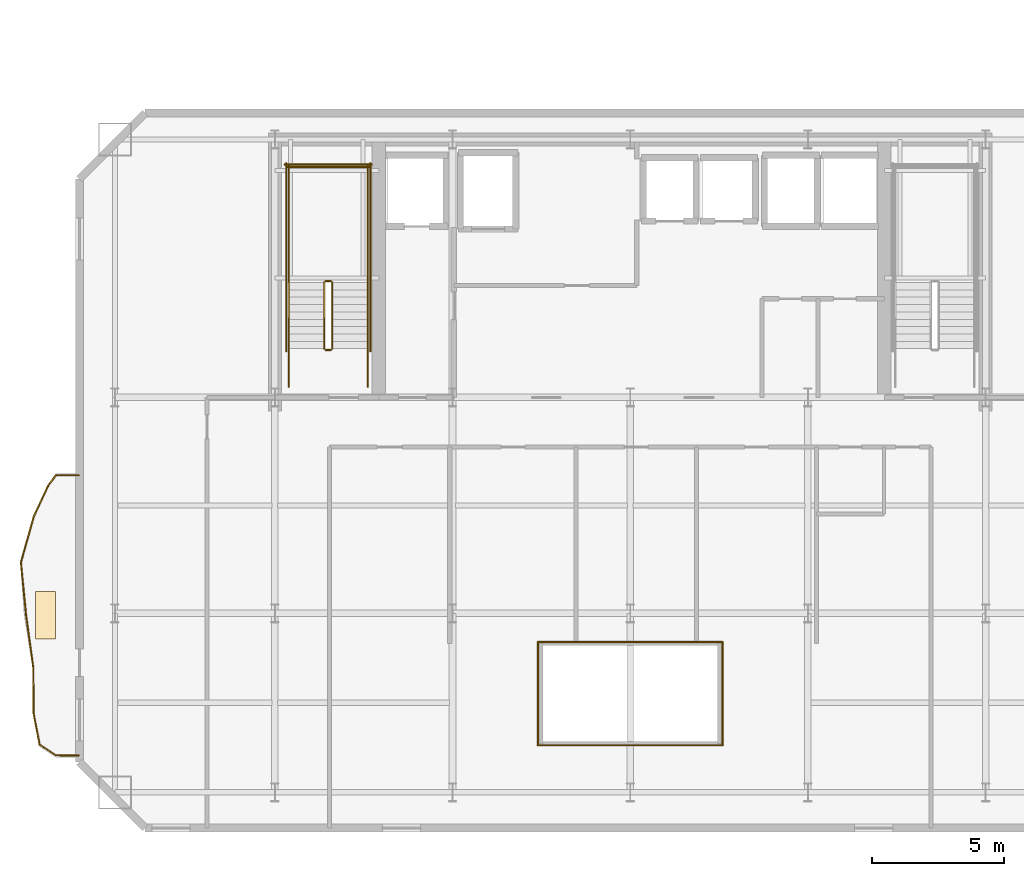
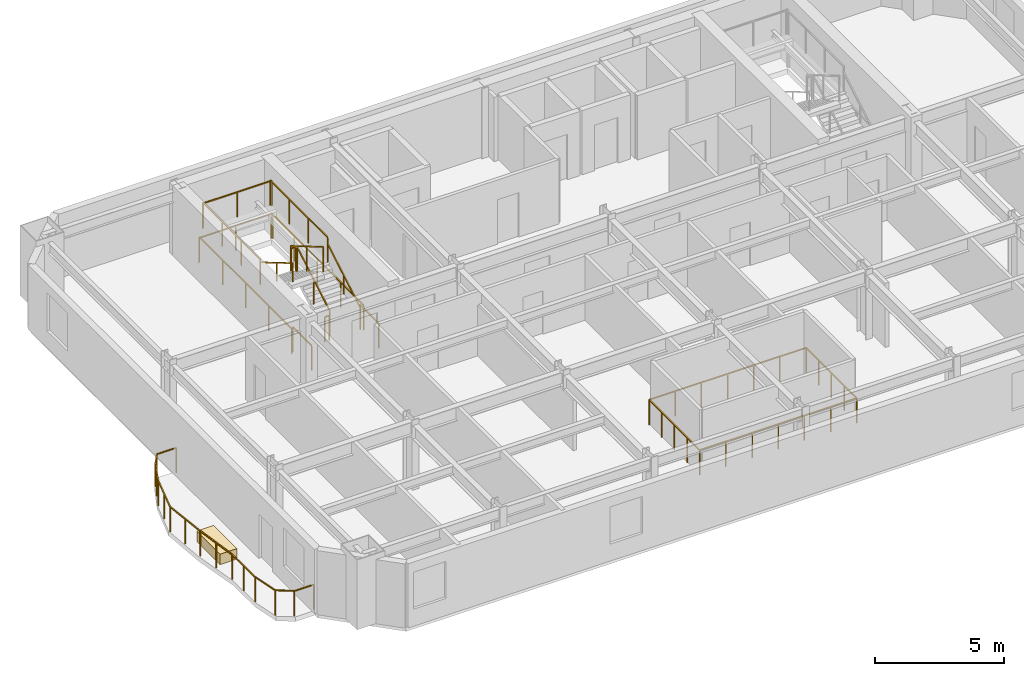
# One storey, part 10 of 13: 28 railings, 1 covering.
"""IFC4 building model written with IfcOpenShell, lengths in metres."""

import ifcopenshell
import ifcopenshell.guid

model = None  # the IFC model being written
_history = None  # IfcOwnerHistory: only IFC2X3 demands one
_inside = {}  # id of a spatial element -> (the spatial element, [elements in it])
_under = {}  # id of a project, library or spatial element -> (it, [spatial elements below it])
_declared = {}  # id of a project -> (the project, [libraries it declares])
_typed = {}  # id of a type object -> (the type object, [elements of that type])
_made_of = {}  # id of a material, layer set ... -> (it, [elements and type objects made of it])


def new_model(schema):
    """Start an empty IFC model of exactly this schema.

    Asked for "IFC4X3", IfcOpenShell would pick the latest addendum, in which some entities
    have other attributes; the version numbers below select the first issue.
    IFC2X3 requires an IfcOwnerHistory on every rooted entity: one is made here for all.
    """
    global model, _history
    if schema == "IFC4X3":
        model = ifcopenshell.file(schema_version=(4, 3, 0, 0))
    else:
        model = ifcopenshell.file(schema=schema)
    _inside.clear()
    _under.clear()
    _declared.clear()
    _typed.clear()
    _made_of.clear()
    _history = None
    if model.schema == "IFC2X3":
        org = make("IfcOrganization", Name="unknown")
        user = make(
            "IfcPersonAndOrganization",
            ThePerson=make("IfcPerson", FamilyName="unknown"),
            TheOrganization=org,
        )
        app = make(
            "IfcApplication",
            ApplicationDeveloper=org,
            Version="unknown",
            ApplicationFullName="unknown",
            ApplicationIdentifier="unknown",
        )
        _history = make(
            "IfcOwnerHistory",
            OwningUser=user,
            OwningApplication=app,
            ChangeAction="ADDED",
            CreationDate=0,
        )
    return model


def make(cls, **values):
    """One entity of the class cls with the attributes given. An attribute that is None is left unset."""
    return model.create_entity(
        cls, **{name: value for name, value in values.items() if value is not None}
    )


def rooted(cls, **values):
    """An entity with a GlobalId (a new one), such as an element, a storey or a relation."""
    return make(cls, GlobalId=ifcopenshell.guid.new(), OwnerHistory=_history, **values)


def si_unit(unit_type, name, prefix=None):
    """IfcSIUnit, for example si_unit("LENGTHUNIT", "METRE", prefix="MILLI")."""
    return make("IfcSIUnit", UnitType=unit_type, Prefix=prefix, Name=name)


def assignment(units):
    """IfcUnitAssignment: the units of a project."""
    return None if units is None else make("IfcUnitAssignment", Units=units)


def point(xyz):
    """IfcCartesianPoint."""
    return None if xyz is None else make("IfcCartesianPoint", Coordinates=xyz)


def direction(xyz):
    """IfcDirection."""
    return None if xyz is None else make("IfcDirection", DirectionRatios=xyz)


def frame(location, z_axis=None, x_axis=None):
    """IfcAxis2Placement3D, a coordinate frame: its origin and axes. An axis left out is left unset."""
    return make(
        "IfcAxis2Placement3D",
        Location=point(location),
        Axis=direction(z_axis),
        RefDirection=direction(x_axis),
    )


def frame_2d(location, x_axis=None):
    """IfcAxis2Placement2D, a coordinate frame in the plane: its origin and x axis."""
    return make(
        "IfcAxis2Placement2D", Location=point(location), RefDirection=direction(x_axis)
    )


def origin():
    """The frame at (0, 0, 0) with its axes left unset."""
    return frame((0.0, 0.0, 0.0))


def origin_2d():
    """The frame at (0, 0) in the plane with its x axis left unset."""
    return frame_2d((0.0, 0.0))


def place(relative_to, where):
    """IfcLocalPlacement: puts the frame where relative to a parent placement (None: the world)."""
    return make(
        "IfcLocalPlacement", PlacementRelTo=relative_to, RelativePlacement=where
    )


def context(
    kind, dimensions, precision=None, world=None, true_north=None, identifier=None
):
    """IfcGeometricRepresentationContext, for example the 3D "Model" context."""
    return make(
        "IfcGeometricRepresentationContext",
        ContextIdentifier=identifier,
        ContextType=kind,
        CoordinateSpaceDimension=dimensions,
        Precision=precision,
        WorldCoordinateSystem=world,
        TrueNorth=true_north,
    )


def subcontext(parent, identifier, kind, view, scale=None):
    """IfcGeometricRepresentationSubContext, for example "Body" below "Model"."""
    return make(
        "IfcGeometricRepresentationSubContext",
        ContextIdentifier=identifier,
        ContextType=kind,
        ParentContext=parent,
        TargetScale=scale,
        TargetView=view,
    )


def project(units=None, contexts=None):
    """IfcProject with its units and contexts."""
    return rooted(
        "IfcProject",
        Name="project",
        RepresentationContexts=contexts,
        UnitsInContext=assignment(units),
    )


def spatial(cls, under=None, at=None, **own):
    """A site, building, storey or space (cls), placed at a placement, below another one or the project."""
    s = rooted(cls, ObjectPlacement=at, **own)
    if under is not None:
        _under.setdefault(under.id(), (under, []))[1].append(s)
    return s


def profile(cls, at=None, kind="AREA", **sizes):
    """A parametric profile (cls). Its sizes go by their IFC names, for example OverallWidth=200.0."""
    return make(cls, ProfileType=kind, Position=at, **sizes)


def rectangle(**sizes):
    """IfcRectangleProfileDef."""
    return profile("IfcRectangleProfileDef", **sizes)


def extrude(swept, where, along, depth):
    """IfcExtrudedAreaSolid: the profile swept, set in the frame where, extruded along a direction by depth."""
    return make(
        "IfcExtrudedAreaSolid",
        SweptArea=swept,
        Position=where,
        ExtrudedDirection=direction(along),
        Depth=depth,
    )


def shape(context_of_items, identifier, shape_type, items):
    """IfcShapeRepresentation: the items that make up one representation, for example the "Body"."""
    return make(
        "IfcShapeRepresentation",
        ContextOfItems=context_of_items,
        RepresentationIdentifier=identifier,
        RepresentationType=shape_type,
        Items=items,
    )


def material(Name=None, Category=None):
    """IfcMaterial."""
    return make("IfcMaterial", Name=Name, Category=Category)


def layer(
    of_material, thickness, ventilated=None, Name=None, Category=None, Priority=None
):
    """IfcMaterialLayer: one layer of a wall or slab, of a material (None: an air gap)."""
    return make(
        "IfcMaterialLayer",
        Material=of_material,
        LayerThickness=thickness,
        IsVentilated=ventilated,
        Name=Name,
        Category=Category,
        Priority=Priority,
    )


def layer_set(layers, Name=None):
    """IfcMaterialLayerSet."""
    return make("IfcMaterialLayerSet", MaterialLayers=layers, LayerSetName=Name)


def made_of(thing, what):
    """Note that an element or type object is made of a material, layer set ...; save() writes the relation."""
    if what is not None:
        _made_of.setdefault(what.id(), (what, []))[1].append(thing)
    return thing


def type_object(cls, material=None, **own):
    """A type object (cls), such as IfcWallType, which elements share."""
    return made_of(rooted(cls, **own), material)


def element(
    cls,
    number,
    at=None,
    inside=None,
    cuts=None,
    type_object=None,
    material=None,
    context=None,
    identifier="Body",
    shape_type=None,
    held_by="IfcProductDefinitionShape",
    body=None,
    shapes=None,
    **own,
):
    """One element of the class cls, such as IfcWall. Its Tag is "e" and its number.

    at: its placement. inside: the storey or other place that contains it. cuts: it is an
    opening in that element (IfcRelVoidsElement). A single representation is given by context,
    identifier, shape_type and body (its items); several are given by shapes. held_by: the class
    of the entity that holds the representations. save() writes the other relations.
    """
    e = rooted(cls, Tag="e%d" % number, ObjectPlacement=at, **own)
    if body is not None:
        shapes = [shape(context, identifier, shape_type, body)]
    if shapes is not None:
        e.Representation = make(held_by, Representations=shapes)
    if inside is not None:
        _inside.setdefault(inside.id(), (inside, []))[1].append(e)
    if cuts is not None:
        rooted(
            "IfcRelVoidsElement", RelatingBuildingElement=cuts, RelatedOpeningElement=e
        )
    if type_object is not None:
        _typed.setdefault(type_object.id(), (type_object, []))[1].append(e)
    return made_of(e, material)


def aggregate(whole, parts):
    """IfcRelAggregates: a whole, such as a stair, and the parts it consists of."""
    return rooted("IfcRelAggregates", RelatingObject=whole, RelatedObjects=parts)


def save(model, path):
    """Write the relations noted so far, then the file.

    IfcRelAggregates (storeys below a building ...), IfcRelContainedInSpatialStructure (elements
    in a storey), IfcRelDefinesByType, IfcRelAssociatesMaterial and IfcRelDeclares: one each for
    every whole, place, type object, material and project.
    """
    for whole, parts in _under.values():
        aggregate(whole, parts)
    for where, things in _inside.values():
        rooted(
            "IfcRelContainedInSpatialStructure",
            RelatedElements=things,
            RelatingStructure=where,
        )
    for kind, things in _typed.values():
        rooted("IfcRelDefinesByType", RelatedObjects=things, RelatingType=kind)
    for what, things in _made_of.values():
        rooted("IfcRelAssociatesMaterial", RelatedObjects=things, RelatingMaterial=what)
    for by, libraries in _declared.values():
        rooted("IfcRelDeclares", RelatingContext=by, RelatedDefinitions=libraries)
    model.write(path)


model = new_model("IFC4")

# Units and contexts
model_context = context("Model", 3, precision=1e-05, world=origin(), true_north=direction((0.0, 1.0)))
body_context = subcontext(model_context, "Body", "Model", "MODEL_VIEW")
ifc_project = project(units=[si_unit("LENGTHUNIT", "METRE"), si_unit("AREAUNIT", "SQUARE_METRE"), si_unit("VOLUMEUNIT", "CUBIC_METRE"), si_unit("PLANEANGLEUNIT", "RADIAN"), si_unit("MASSUNIT", "GRAM", prefix="KILO")], contexts=[model_context])

# Site, building, storey
site_placement = place(None, origin())
site = spatial("IfcSite", under=ifc_project, at=site_placement, CompositionType="ELEMENT")
building_placement = place(site_placement, origin())
building = spatial("IfcBuilding", under=site, at=building_placement, Name="Haevon Station Towers", CompositionType="ELEMENT")
storey_placement = place(building_placement, frame((0.0, 0.0, 162.60009765625)))
storey = spatial("IfcBuildingStorey", under=building, at=storey_placement, Name="L44", CompositionType="ELEMENT", Elevation=162.60009765625)

# Railings
ifc_material_1 = material(Name="Steel S355", Category="steel")
railing_type_1 = type_object("IfcRailingType", Name="BAL-ATR1200", PredefinedType="BALUSTRADE", material=ifc_material_1)
railing_1_placement = place(storey_placement, frame((33.995361328125, 24.991455078125, 0.0)))
element("IfcRailing", 1, at=railing_1_placement, inside=storey, type_object=railing_type_1, Name="L44 Atrium Void Balustrade 1", PredefinedType="BALUSTRADE", context=body_context, shape_type="SweptSolid", body=[
    extrude(rectangle(XDim=0.048095703125, YDim=0.048095703125, at=origin_2d()), frame((0.0, 0.0, 1.17578125), z_axis=(1.0, 0.0, 0.0), x_axis=(0.0, 1.0, 0.0)), (0.0, 0.0, 1.0), 7.00927734375),
    extrude(rectangle(XDim=0.0419921875, YDim=0.0419921875, at=origin_2d()), origin(), (0.0, 0.0, 1.0), 1.15185546875),
    extrude(rectangle(XDim=0.0419921875, YDim=0.0419921875, at=origin_2d()), frame((1.168212890625, 0.0, 0.0)), (0.0, 0.0, 1.0), 1.15185546875),
    extrude(rectangle(XDim=0.0419921875, YDim=0.0419921875, at=origin_2d()), frame((2.33642578125, 0.0, 0.0)), (0.0, 0.0, 1.0), 1.15185546875),
    extrude(rectangle(XDim=0.0419921875, YDim=0.0419921875, at=origin_2d()), frame((3.504638671875, 0.0, 0.0)), (0.0, 0.0, 1.0), 1.15185546875),
    extrude(rectangle(XDim=0.0419921875, YDim=0.0419921875, at=origin_2d()), frame((4.6728515625, 0.0, 0.0)), (0.0, 0.0, 1.0), 1.15185546875),
    extrude(rectangle(XDim=0.0419921875, YDim=0.0419921875, at=origin_2d()), frame((5.841064453125, 0.0, 0.0)), (0.0, 0.0, 1.0), 1.15185546875),
    extrude(rectangle(XDim=0.0419921875, YDim=0.0419921875, at=origin_2d()), frame((7.00927734375, 0.0, 0.0)), (0.0, 0.0, 1.0), 1.15185546875),
])
railing_2_placement = place(storey_placement, frame((41.004638671875, 24.991455078125, 0.0)))
element("IfcRailing", 2, at=railing_2_placement, inside=storey, type_object=railing_type_1, Name="L44 Atrium Void Balustrade 2", PredefinedType="BALUSTRADE", context=body_context, shape_type="SweptSolid", body=[
    extrude(rectangle(XDim=0.048095703125, YDim=0.048095703125, at=origin_2d()), frame((0.0, 0.0, 1.17578125), z_axis=(0.0, 1.0, 0.0), x_axis=(-1.0, 0.0, 0.0)), (0.0, 0.0, 1.0), 3.9169921875),
    extrude(rectangle(XDim=0.0419921875, YDim=0.0419921875, at=origin_2d()), origin(), (0.0, 0.0, 1.0), 1.15185546875),
    extrude(rectangle(XDim=0.0419921875, YDim=0.0419921875, at=origin_2d()), frame((0.0, 0.979248046875, 0.0)), (0.0, 0.0, 1.0), 1.15185546875),
    extrude(rectangle(XDim=0.0419921875, YDim=0.0419921875, at=origin_2d()), frame((0.0, 1.95849609375, 0.0)), (0.0, 0.0, 1.0), 1.15185546875),
    extrude(rectangle(XDim=0.0419921875, YDim=0.0419921875, at=origin_2d()), frame((0.0, 2.937744140625, 0.0)), (0.0, 0.0, 1.0), 1.15185546875),
    extrude(rectangle(XDim=0.0419921875, YDim=0.0419921875, at=origin_2d()), frame((0.0, 3.9169921875, 0.0)), (0.0, 0.0, 1.0), 1.15185546875),
])
railing_3_placement = place(storey_placement, frame((41.004638671875, 28.908447265625, 0.0)))
element("IfcRailing", 3, at=railing_3_placement, inside=storey, type_object=railing_type_1, Name="L44 Atrium Void Balustrade 3", PredefinedType="BALUSTRADE", context=body_context, shape_type="SweptSolid", body=[
    extrude(rectangle(XDim=0.048095703125, YDim=0.048095703125, at=origin_2d()), frame((0.0, 0.0, 1.17578125), z_axis=(-1.0, 0.0, 0.0), x_axis=(0.0, -1.0, 0.0)), (0.0, 0.0, 1.0), 7.00927734375),
    extrude(rectangle(XDim=0.0419921875, YDim=0.0419921875, at=origin_2d()), origin(), (0.0, 0.0, 1.0), 1.15185546875),
    extrude(rectangle(XDim=0.0419921875, YDim=0.0419921875, at=origin_2d()), frame((-1.168212890625, 0.0, 0.0)), (0.0, 0.0, 1.0), 1.15185546875),
    extrude(rectangle(XDim=0.0419921875, YDim=0.0419921875, at=origin_2d()), frame((-2.33642578125, 0.0, 0.0)), (0.0, 0.0, 1.0), 1.15185546875),
    extrude(rectangle(XDim=0.0419921875, YDim=0.0419921875, at=origin_2d()), frame((-3.504638671875, 0.0, 0.0)), (0.0, 0.0, 1.0), 1.15185546875),
    extrude(rectangle(XDim=0.0419921875, YDim=0.0419921875, at=origin_2d()), frame((-4.6728515625, 0.0, 0.0)), (0.0, 0.0, 1.0), 1.15185546875),
    extrude(rectangle(XDim=0.0419921875, YDim=0.0419921875, at=origin_2d()), frame((-5.841064453125, 0.0, 0.0)), (0.0, 0.0, 1.0), 1.15185546875),
    extrude(rectangle(XDim=0.0419921875, YDim=0.0419921875, at=origin_2d()), frame((-7.00927734375, 0.0, 0.0)), (0.0, 0.0, 1.0), 1.15185546875),
])
railing_4_placement = place(storey_placement, frame((33.995361328125, 28.908447265625, 0.0)))
element("IfcRailing", 4, at=railing_4_placement, inside=storey, type_object=railing_type_1, Name="L44 Atrium Void Balustrade 4", PredefinedType="BALUSTRADE", context=body_context, shape_type="SweptSolid", body=[
    extrude(rectangle(XDim=0.048095703125, YDim=0.048095703125, at=origin_2d()), frame((0.0, 0.0, 1.17578125), z_axis=(0.0, -1.0, 0.0), x_axis=(1.0, 0.0, 0.0)), (0.0, 0.0, 1.0), 3.9169921875),
    extrude(rectangle(XDim=0.0419921875, YDim=0.0419921875, at=origin_2d()), origin(), (0.0, 0.0, 1.0), 1.15185546875),
    extrude(rectangle(XDim=0.0419921875, YDim=0.0419921875, at=origin_2d()), frame((0.0, -0.979248046875, 0.0)), (0.0, 0.0, 1.0), 1.15185546875),
    extrude(rectangle(XDim=0.0419921875, YDim=0.0419921875, at=origin_2d()), frame((0.0, -1.95849609375, 0.0)), (0.0, 0.0, 1.0), 1.15185546875),
    extrude(rectangle(XDim=0.0419921875, YDim=0.0419921875, at=origin_2d()), frame((0.0, -2.937744140625, 0.0)), (0.0, 0.0, 1.0), 1.15185546875),
    extrude(rectangle(XDim=0.0419921875, YDim=0.0419921875, at=origin_2d()), frame((0.0, -3.9169921875, 0.0)), (0.0, 0.0, 1.0), 1.15185546875),
])
railing_type_2 = type_object("IfcRailingType", Name="GRD-EXT1200", PredefinedType="GUARDRAIL", material=ifc_material_1)
railing_5_placement = place(storey_placement, frame((16.551513671875, 35.2470703125, 0.0)))
element("IfcRailing", 5, at=railing_5_placement, inside=storey, type_object=railing_type_2, Name="L44 Perimeter Guardrail 1", PredefinedType="GUARDRAIL", context=body_context, shape_type="SweptSolid", body=[
    extrude(rectangle(XDim=0.048095703125, YDim=0.048095703125, at=origin_2d()), frame((0.0, 0.0, 1.17578125), z_axis=(-0.999997476494, -0.002246554286, 0.0), x_axis=(0.002246554286, -0.999997476494, 0.0)), (0.0, 0.0, 1.0), 0.869384765625),
    extrude(rectangle(XDim=0.0419921875, YDim=0.0419921875, at=origin_2d()), origin(), (0.0, 0.0, 1.0), 1.15185546875),
    extrude(rectangle(XDim=0.0419921875, YDim=0.0419921875, at=origin_2d()), frame((-0.869384765625, -0.001953125, 0.0)), (0.0, 0.0, 1.0), 1.15185546875),
])
railing_6_placement = place(storey_placement, frame((15.68212890625, 35.2451171875, 0.0)))
element("IfcRailing", 6, at=railing_6_placement, inside=storey, type_object=railing_type_2, Name="L44 Perimeter Guardrail 2", PredefinedType="GUARDRAIL", context=body_context, shape_type="SweptSolid", body=[
    extrude(rectangle(XDim=0.048095703125, YDim=0.048095703125, at=origin_2d()), frame((0.0, 0.0, 1.17578125), z_axis=(-0.587943185417, -0.808902225688, 0.0), x_axis=(0.808902225688, -0.587943185417, 0.0)), (0.0, 0.0, 1.0), 0.50830078125),
    extrude(rectangle(XDim=0.0419921875, YDim=0.0419921875, at=origin_2d()), origin(), (0.0, 0.0, 1.0), 1.15185546875),
    extrude(rectangle(XDim=0.0419921875, YDim=0.0419921875, at=origin_2d()), frame((-0.298828125, -0.4111328125, 0.0)), (0.0, 0.0, 1.0), 1.15185546875),
])
railing_7_placement = place(storey_placement, frame((15.38330078125, 34.833984375, 0.0)))
element("IfcRailing", 7, at=railing_7_placement, inside=storey, type_object=railing_type_2, Name="L44 Perimeter Guardrail 3", PredefinedType="GUARDRAIL", context=body_context, shape_type="SweptSolid", body=[
    extrude(rectangle(XDim=0.048095703125, YDim=0.048095703125, at=origin_2d()), frame((0.0, 0.0, 1.17578125), z_axis=(-0.423464938521, -0.90591249348, 0.0), x_axis=(0.90591249348, -0.423464938521, 0.0)), (0.0, 0.0, 1.0), 1.29150390625),
    extrude(rectangle(XDim=0.0419921875, YDim=0.0419921875, at=origin_2d()), origin(), (0.0, 0.0, 1.0), 1.15185546875),
    extrude(rectangle(XDim=0.0419921875, YDim=0.0419921875, at=origin_2d()), frame((-0.2734375, -0.5849609375, 0.0)), (0.0, 0.0, 1.0), 1.15185546875),
    extrude(rectangle(XDim=0.0419921875, YDim=0.0419921875, at=origin_2d()), frame((-0.546875, -1.169921875, 0.0)), (0.0, 0.0, 1.0), 1.15185546875),
])
railing_8_placement = place(storey_placement, frame((14.83642578125, 33.6640625, 0.0)))
element("IfcRailing", 8, at=railing_8_placement, inside=storey, type_object=railing_type_2, Name="L44 Perimeter Guardrail 4", PredefinedType="GUARDRAIL", context=body_context, shape_type="SweptSolid", body=[
    extrude(rectangle(XDim=0.048095703125, YDim=0.048095703125, at=origin_2d()), frame((0.0, 0.0, 1.17578125), z_axis=(-0.266356811872, -0.963874498454, 0.0), x_axis=(0.963874498454, -0.266356811872, 0.0)), (0.0, 0.0, 1.0), 1.810302734375),
    extrude(rectangle(XDim=0.0419921875, YDim=0.0419921875, at=origin_2d()), origin(), (0.0, 0.0, 1.0), 1.15185546875),
    extrude(rectangle(XDim=0.0419921875, YDim=0.0419921875, at=origin_2d()), frame((-0.2412109375, -0.87255859375, 0.0)), (0.0, 0.0, 1.0), 1.15185546875),
    extrude(rectangle(XDim=0.0419921875, YDim=0.0419921875, at=origin_2d()), frame((-0.482177734375, -1.744873046875, 0.0)), (0.0, 0.0, 1.0), 1.15185546875),
])
railing_9_placement = place(storey_placement, frame((14.354248046875, 31.919189453125, 0.0)))
element("IfcRailing", 9, at=railing_9_placement, inside=storey, type_object=railing_type_2, Name="L44 Perimeter Guardrail 5", PredefinedType="GUARDRAIL", context=body_context, shape_type="SweptSolid", body=[
    extrude(rectangle(XDim=0.048095703125, YDim=0.048095703125, at=origin_2d()), frame((0.0, 0.0, 1.17578125), z_axis=(0.097718135752, -0.9952141307, 0.0), x_axis=(0.9952141307, 0.097718135752, 0.0)), (0.0, 0.0, 1.0), 2.003662109375),
    extrude(rectangle(XDim=0.0419921875, YDim=0.0419921875, at=origin_2d()), origin(), (0.0, 0.0, 1.0), 1.15185546875),
    extrude(rectangle(XDim=0.0419921875, YDim=0.0419921875, at=origin_2d()), frame((0.097900390625, -0.9970703125, 0.0)), (0.0, 0.0, 1.0), 1.15185546875),
    extrude(rectangle(XDim=0.0419921875, YDim=0.0419921875, at=origin_2d()), frame((0.19580078125, -1.994140625, 0.0)), (0.0, 0.0, 1.0), 1.15185546875),
])
railing_10_placement = place(storey_placement, frame((14.550048828125, 29.925048828125, 0.0)))
element("IfcRailing", 10, at=railing_10_placement, inside=storey, type_object=railing_type_2, Name="L44 Perimeter Guardrail 6", PredefinedType="GUARDRAIL", context=body_context, shape_type="SweptSolid", body=[
    extrude(rectangle(XDim=0.048095703125, YDim=0.048095703125, at=origin_2d()), frame((0.0, 0.0, 1.17578125), z_axis=(0.136209388556, -0.990680070693, 0.0), x_axis=(0.990680070693, 0.136209388556, 0.0)), (0.0, 0.0, 1.0), 2.007568359375),
    extrude(rectangle(XDim=0.0419921875, YDim=0.0419921875, at=origin_2d()), origin(), (0.0, 0.0, 1.0), 1.15185546875),
    extrude(rectangle(XDim=0.0419921875, YDim=0.0419921875, at=origin_2d()), frame((0.13671875, -0.994384765625, 0.0)), (0.0, 0.0, 1.0), 1.15185546875),
    extrude(rectangle(XDim=0.0419921875, YDim=0.0419921875, at=origin_2d()), frame((0.2734375, -1.98876953125, 0.0)), (0.0, 0.0, 1.0), 1.15185546875),
])
railing_11_placement = place(storey_placement, frame((14.823486328125, 27.936279296875, 0.0)))
element("IfcRailing", 11, at=railing_11_placement, inside=storey, type_object=railing_type_2, Name="L44 Perimeter Guardrail 7", PredefinedType="GUARDRAIL", context=body_context, shape_type="SweptSolid", body=[
    extrude(rectangle(XDim=0.048095703125, YDim=0.048095703125, at=origin_2d()), frame((0.0, 0.0, 1.17578125), z_axis=(0.007392739808, -0.999972673326, 0.0), x_axis=(0.999972673326, 0.007392739808, 0.0)), (0.0, 0.0, 1.0), 1.750244140625),
    extrude(rectangle(XDim=0.0419921875, YDim=0.0419921875, at=origin_2d()), origin(), (0.0, 0.0, 1.0), 1.15185546875),
    extrude(rectangle(XDim=0.0419921875, YDim=0.0419921875, at=origin_2d()), frame((0.00634765625, -0.875, 0.0)), (0.0, 0.0, 1.0), 1.15185546875),
    extrude(rectangle(XDim=0.0419921875, YDim=0.0419921875, at=origin_2d()), frame((0.012939453125, -1.750244140625, 0.0)), (0.0, 0.0, 1.0), 1.15185546875),
])
railing_12_placement = place(storey_placement, frame((14.83642578125, 26.18603515625, 0.0)))
element("IfcRailing", 12, at=railing_12_placement, inside=storey, type_object=railing_type_2, Name="L44 Perimeter Guardrail 8", PredefinedType="GUARDRAIL", context=body_context, shape_type="SweptSolid", body=[
    extrude(rectangle(XDim=0.048095703125, YDim=0.048095703125, at=origin_2d()), frame((0.0, 0.0, 1.17578125), z_axis=(0.18988815167, -0.981805729182, 0.0), x_axis=(0.981805729182, 0.18988815167, 0.0)), (0.0, 0.0, 1.0), 1.19189453125),
    extrude(rectangle(XDim=0.0419921875, YDim=0.0419921875, at=origin_2d()), origin(), (0.0, 0.0, 1.0), 1.15185546875),
    extrude(rectangle(XDim=0.0419921875, YDim=0.0419921875, at=origin_2d()), frame((0.226318359375, -1.170166015625, 0.0)), (0.0, 0.0, 1.0), 1.15185546875),
])
railing_13_placement = place(storey_placement, frame((15.062744140625, 25.015869140625, 0.0)))
element("IfcRailing", 13, at=railing_13_placement, inside=storey, type_object=railing_type_2, Name="L44 Perimeter Guardrail 9", PredefinedType="GUARDRAIL", context=body_context, shape_type="SweptSolid", body=[
    extrude(rectangle(XDim=0.048095703125, YDim=0.048095703125, at=origin_2d()), frame((0.0, 0.0, 1.17578125), z_axis=(0.833160144028, -0.553031802343, 0.0), x_axis=(0.553031802343, 0.833160144028, 0.0)), (0.0, 0.0, 1.0), 0.743408203125),
    extrude(rectangle(XDim=0.0419921875, YDim=0.0419921875, at=origin_2d()), origin(), (0.0, 0.0, 1.0), 1.15185546875),
    extrude(rectangle(XDim=0.0419921875, YDim=0.0419921875, at=origin_2d()), frame((0.619384765625, -0.4111328125, 0.0)), (0.0, 0.0, 1.0), 1.15185546875),
])
railing_14_placement = place(storey_placement, frame((15.68212890625, 24.604736328125, 0.0)))
element("IfcRailing", 14, at=railing_14_placement, inside=storey, type_object=railing_type_2, Name="L44 Perimeter Guardrail 10", PredefinedType="GUARDRAIL", context=body_context, shape_type="SweptSolid", body=[
    extrude(rectangle(XDim=0.048095703125, YDim=0.048095703125, at=origin_2d()), frame((0.0, 0.0, 1.17578125), z_axis=(0.999997476494, -0.002246554286, 0.0), x_axis=(0.002246554286, 0.999997476494, 0.0)), (0.0, 0.0, 1.0), 0.869384765625),
    extrude(rectangle(XDim=0.0419921875, YDim=0.0419921875, at=origin_2d()), origin(), (0.0, 0.0, 1.0), 1.15185546875),
    extrude(rectangle(XDim=0.0419921875, YDim=0.0419921875, at=origin_2d()), frame((0.869384765625, -0.001953125, 0.0)), (0.0, 0.0, 1.0), 1.15185546875),
])
railing_type_3 = type_object("IfcRailingType", Name="GRD-STR1200", PredefinedType="GUARDRAIL", material=ifc_material_1)
railing_15_placement = place(storey_placement, frame((26.179931640625, 40.050048828125, 0.164794921875)))
element("IfcRailing", 15, at=railing_15_placement, inside=storey, type_object=railing_type_3, Name="L44 ST1 Stair Guard 1", PredefinedType="GUARDRAIL", context=body_context, shape_type="SweptSolid", body=[
    extrude(rectangle(XDim=0.048095703125, YDim=0.048095703125, at=origin_2d()), frame((0.0, 0.0, 1.17578125), z_axis=(0.0, 0.86152411907, 0.507716645641), x_axis=(-1.0, 0.0, 0.0)), (0.0, 0.0, 1.0), 2.925048828125),
    extrude(rectangle(XDim=0.0419921875, YDim=0.0419921875, at=origin_2d()), origin(), (0.0, 0.0, 1.0), 1.15185546875),
    extrude(rectangle(XDim=0.0419921875, YDim=0.0419921875, at=origin_2d()), frame((0.0, 1.260009765625, 0.74267578125)), (0.0, 0.0, 1.0), 1.15185546875),
    extrude(rectangle(XDim=0.0419921875, YDim=0.0419921875, at=origin_2d()), frame((0.0, 2.52001953125, 1.485107421875)), (0.0, 0.0, 1.0), 1.15185546875),
])
railing_16_placement = place(storey_placement, frame((26.1298828125, 42.6201171875, 1.64990234375)))
element("IfcRailing", 16, at=railing_16_placement, inside=storey, type_object=railing_type_3, Name="L44 ST1 Stair Guard 2", PredefinedType="GUARDRAIL", context=body_context, shape_type="SweptSolid", body=[
    extrude(rectangle(XDim=0.048095703125, YDim=0.048095703125, at=origin_2d()), frame((0.0, 0.0, 1.17578125), z_axis=(-1.0, 0.0, 0.0), x_axis=(0.0, -1.0, 0.0)), (0.0, 0.0, 1.0), 0.199951171875),
    extrude(rectangle(XDim=0.0419921875, YDim=0.0419921875, at=origin_2d()), origin(), (0.0, 0.0, 1.0), 1.15185546875),
    extrude(rectangle(XDim=0.0419921875, YDim=0.0419921875, at=origin_2d()), frame((-0.199951171875, 0.0, 0.0)), (0.0, 0.0, 1.0), 1.15185546875),
])
for number, where, name in (
    (17, (27.530029296875, 42.570068359375, 1.64990234375), "L44 ST1 Stair Guard 3"),
    (18, (24.530029296875, 42.570068359375, 1.64990234375), "L44 ST1 Stair Guard 4"),
):
    element("IfcRailing", number, at=place(storey_placement, frame(where)), inside=storey, type_object=railing_type_3, Name=name, PredefinedType="GUARDRAIL", context=body_context, shape_type="SweptSolid", body=[
        extrude(rectangle(XDim=0.048095703125, YDim=0.048095703125, at=origin_2d()), frame((0.0, 0.0, 1.17578125), z_axis=(0.0, 1.0, 0.0), x_axis=(-1.0, 0.0, 0.0)), (0.0, 0.0, 1.0), 4.429931640625),
        extrude(rectangle(XDim=0.0419921875, YDim=0.0419921875, at=origin_2d()), origin(), (0.0, 0.0, 1.0), 1.15185546875),
        extrude(rectangle(XDim=0.0419921875, YDim=0.0419921875, at=origin_2d()), frame((0.0, 1.4765625, 0.0)), (0.0, 0.0, 1.0), 1.15185546875),
        extrude(rectangle(XDim=0.0419921875, YDim=0.0419921875, at=origin_2d()), frame((0.0, 2.953369140625, 0.0)), (0.0, 0.0, 1.0), 1.15185546875),
        extrude(rectangle(XDim=0.0419921875, YDim=0.0419921875, at=origin_2d()), frame((0.0, 4.429931640625, 0.0)), (0.0, 0.0, 1.0), 1.15185546875),
    ])
railing_17_placement = place(storey_placement, frame((27.580078125, 46.949951171875, 1.64990234375)))
element("IfcRailing", 19, at=railing_17_placement, inside=storey, type_object=railing_type_3, Name="L44 ST1 Stair Guard 5", PredefinedType="GUARDRAIL", context=body_context, shape_type="SweptSolid", body=[
    extrude(rectangle(XDim=0.048095703125, YDim=0.048095703125, at=origin_2d()), frame((0.0, 0.0, 1.17578125), z_axis=(-1.0, 0.0, 0.0), x_axis=(0.0, -1.0, 0.0)), (0.0, 0.0, 1.0), 3.10009765625),
    extrude(rectangle(XDim=0.0419921875, YDim=0.0419921875, at=origin_2d()), origin(), (0.0, 0.0, 1.0), 1.15185546875),
    extrude(rectangle(XDim=0.0419921875, YDim=0.0419921875, at=origin_2d()), frame((-1.550048828125, 0.0, 0.0)), (0.0, 0.0, 1.0), 1.15185546875),
    extrude(rectangle(XDim=0.0419921875, YDim=0.0419921875, at=origin_2d()), frame((-3.10009765625, 0.0, 0.0)), (0.0, 0.0, 1.0), 1.15185546875),
])
railing_18_placement = place(storey_placement, frame((25.8798828125, 42.570068359375, 1.81494140625)))
element("IfcRailing", 20, at=railing_18_placement, inside=storey, type_object=railing_type_3, Name="L44 ST1 Stair Guard 6", PredefinedType="GUARDRAIL", context=body_context, shape_type="SweptSolid", body=[
    extrude(rectangle(XDim=0.048095703125, YDim=0.048095703125, at=origin_2d()), frame((0.0, 0.0, 1.17578125), z_axis=(0.0, -0.861560626758, 0.507654692109), x_axis=(1.0, 0.0, 0.0)), (0.0, 0.0, 1.0), 2.925048828125),
    extrude(rectangle(XDim=0.0419921875, YDim=0.0419921875, at=origin_2d()), origin(), (0.0, 0.0, 1.0), 1.15185546875),
    extrude(rectangle(XDim=0.0419921875, YDim=0.0419921875, at=origin_2d()), frame((0.0, -1.260009765625, 0.742431640625)), (0.0, 0.0, 1.0), 1.15185546875),
    extrude(rectangle(XDim=0.0419921875, YDim=0.0419921875, at=origin_2d()), frame((0.0, -2.52001953125, 1.48486328125)), (0.0, 0.0, 1.0), 1.15185546875),
])
railing_19_placement = place(storey_placement, frame((26.1298828125, 40.0, 0.0)))
element("IfcRailing", 21, at=railing_19_placement, inside=storey, type_object=railing_type_3, Name="L44 ST1 Stair Guard 7", PredefinedType="GUARDRAIL", context=body_context, shape_type="SweptSolid", body=[
    extrude(rectangle(XDim=0.048095703125, YDim=0.048095703125, at=origin_2d()), frame((0.0, 0.0, 1.17578125), z_axis=(-1.0, 0.0, 0.0), x_axis=(0.0, -1.0, 0.0)), (0.0, 0.0, 1.0), 0.199951171875),
    extrude(rectangle(XDim=0.0419921875, YDim=0.0419921875, at=origin_2d()), origin(), (0.0, 0.0, 1.0), 1.15185546875),
    extrude(rectangle(XDim=0.0419921875, YDim=0.0419921875, at=origin_2d()), frame((-0.199951171875, 0.0, 0.0)), (0.0, 0.0, 1.0), 1.15185546875),
])
for number, where, name in (
    (22, (27.530029296875, 38.60009765625, 0.0), "L44 ST1 Stair Guard 8"),
    (23, (24.530029296875, 38.60009765625, 0.0), "L44 ST1 Stair Guard 9"),
):
    element("IfcRailing", number, at=place(storey_placement, frame(where)), inside=storey, type_object=railing_type_3, Name=name, PredefinedType="GUARDRAIL", context=body_context, shape_type="SweptSolid", body=[
        extrude(rectangle(XDim=0.048095703125, YDim=0.048095703125, at=origin_2d()), frame((0.0, 0.0, 1.17578125), z_axis=(0.0, 1.0, 0.0), x_axis=(-1.0, 0.0, 0.0)), (0.0, 0.0, 1.0), 1.449951171875),
        extrude(rectangle(XDim=0.0419921875, YDim=0.0419921875, at=origin_2d()), origin(), (0.0, 0.0, 1.0), 1.15185546875),
        extrude(rectangle(XDim=0.0419921875, YDim=0.0419921875, at=origin_2d()), frame((0.0, 1.449951171875, 0.0)), (0.0, 0.0, 1.0), 1.15185546875),
    ])
for number, where, name in (
    (24, (27.6298828125, 39.949951171875, 0.0), "L44 ST1 Stair Guard 10"),
    (25, (24.429931640625, 39.949951171875, 0.0), "L44 ST1 Stair Guard 11"),
):
    element("IfcRailing", number, at=place(storey_placement, frame(where)), inside=storey, type_object=railing_type_3, Name=name, PredefinedType="GUARDRAIL", context=body_context, shape_type="SweptSolid", body=[
        extrude(rectangle(XDim=0.048095703125, YDim=0.048095703125, at=origin_2d()), frame((0.0, 0.0, 1.17578125), z_axis=(0.0, 1.0, 0.0), x_axis=(-1.0, 0.0, 0.0)), (0.0, 0.0, 1.0), 7.150146484375),
        extrude(rectangle(XDim=0.0419921875, YDim=0.0419921875, at=origin_2d()), origin(), (0.0, 0.0, 1.0), 1.15185546875),
        extrude(rectangle(XDim=0.0419921875, YDim=0.0419921875, at=origin_2d()), frame((0.0, 1.78759765625, 0.0)), (0.0, 0.0, 1.0), 1.15185546875),
        extrude(rectangle(XDim=0.0419921875, YDim=0.0419921875, at=origin_2d()), frame((0.0, 3.5751953125, 0.0)), (0.0, 0.0, 1.0), 1.15185546875),
        extrude(rectangle(XDim=0.0419921875, YDim=0.0419921875, at=origin_2d()), frame((0.0, 5.362548828125, 0.0)), (0.0, 0.0, 1.0), 1.15185546875),
        extrude(rectangle(XDim=0.0419921875, YDim=0.0419921875, at=origin_2d()), frame((0.0, 7.150146484375, 0.0)), (0.0, 0.0, 1.0), 1.15185546875),
    ])
railing_20_placement = place(storey_placement, frame((27.679931640625, 47.050048828125, 0.0)))
element("IfcRailing", 26, at=railing_20_placement, inside=storey, type_object=railing_type_3, Name="L44 ST1 Stair Guard 12", PredefinedType="GUARDRAIL", context=body_context, shape_type="SweptSolid", body=[
    extrude(rectangle(XDim=0.048095703125, YDim=0.048095703125, at=origin_2d()), frame((0.0, 0.0, 1.17578125), z_axis=(-1.0, 0.0, 0.0), x_axis=(0.0, -1.0, 0.0)), (0.0, 0.0, 1.0), 3.300048828125),
    extrude(rectangle(XDim=0.0419921875, YDim=0.0419921875, at=origin_2d()), origin(), (0.0, 0.0, 1.0), 1.15185546875),
    extrude(rectangle(XDim=0.0419921875, YDim=0.0419921875, at=origin_2d()), frame((-1.64990234375, 0.0, 0.0)), (0.0, 0.0, 1.0), 1.15185546875),
    extrude(rectangle(XDim=0.0419921875, YDim=0.0419921875, at=origin_2d()), frame((-3.300048828125, 0.0, 0.0)), (0.0, 0.0, 1.0), 1.15185546875),
])
railing_type_4 = type_object("IfcRailingType", Name="HND-STR900", PredefinedType="HANDRAIL", material=ifc_material_1)
railing_21_placement = place(storey_placement, frame((27.530029296875, 40.050048828125, 0.164794921875)))
element("IfcRailing", 27, at=railing_21_placement, inside=storey, type_object=railing_type_4, Name="L44 ST1 Stair Handrail 1", PredefinedType="HANDRAIL", context=body_context, shape_type="SweptSolid", body=[
    extrude(rectangle(XDim=0.048095703125, YDim=0.048095703125, at=origin_2d()), frame((0.0, 0.0, 0.8759765625), z_axis=(0.0, 0.86152411907, 0.507716645641), x_axis=(-1.0, 0.0, 0.0)), (0.0, 0.0, 1.0), 2.925048828125),
    extrude(rectangle(XDim=0.0419921875, YDim=0.0419921875, at=origin_2d()), origin(), (0.0, 0.0, 1.0), 0.851806640625),
    extrude(rectangle(XDim=0.0419921875, YDim=0.0419921875, at=origin_2d()), frame((0.0, 1.260009765625, 0.74267578125)), (0.0, 0.0, 1.0), 0.851806640625),
    extrude(rectangle(XDim=0.0419921875, YDim=0.0419921875, at=origin_2d()), frame((0.0, 2.52001953125, 1.485107421875)), (0.0, 0.0, 1.0), 0.851806640625),
])
railing_22_placement = place(storey_placement, frame((24.530029296875, 42.570068359375, 1.81494140625)))
element("IfcRailing", 28, at=railing_22_placement, inside=storey, type_object=railing_type_4, Name="L44 ST1 Stair Handrail 2", PredefinedType="HANDRAIL", context=body_context, shape_type="SweptSolid", body=[
    extrude(rectangle(XDim=0.048095703125, YDim=0.048095703125, at=origin_2d()), frame((0.0, 0.0, 0.8759765625), z_axis=(0.0, -0.861560626758, 0.507654692109), x_axis=(1.0, 0.0, 0.0)), (0.0, 0.0, 1.0), 2.925048828125),
    extrude(rectangle(XDim=0.0419921875, YDim=0.0419921875, at=origin_2d()), origin(), (0.0, 0.0, 1.0), 0.851806640625),
    extrude(rectangle(XDim=0.0419921875, YDim=0.0419921875, at=origin_2d()), frame((0.0, -1.260009765625, 0.742431640625)), (0.0, 0.0, 1.0), 0.851806640625),
    extrude(rectangle(XDim=0.0419921875, YDim=0.0419921875, at=origin_2d()), frame((0.0, -2.52001953125, 1.48486328125)), (0.0, 0.0, 1.0), 0.851806640625),
])

# Covering
ifc_material_2 = material(Name="Architectural planter GRC", Category="concrete")
ifc_layer = layer(ifc_material_2, 0.550048828125)
ifc_layer_set = layer_set([ifc_layer], Name="Architectural planter GRC")
covering_type = type_object("IfcCoveringType", Name="PLN-GRC550", PredefinedType="MOLDING", material=ifc_layer_set)
covering_placement = place(storey_placement, frame((15.291748046875, 29.925048828125, 0.0), z_axis=(0.0, 0.0, 1.0), x_axis=(1.0, 0.0, 0.0)))
element("IfcCovering", 29, at=covering_placement, inside=storey, type_object=covering_type, Name="Tower 1 L44 Scalloped Balcony PLANTER", PredefinedType="MOLDING", context=body_context, shape_type="SweptSolid", body=[
    extrude(rectangle(XDim=0.75, YDim=1.800048828125, at=origin_2d()), origin(), (0.0, 0.0, 1.0), 0.5),
])

save(model, "model.ifc")
